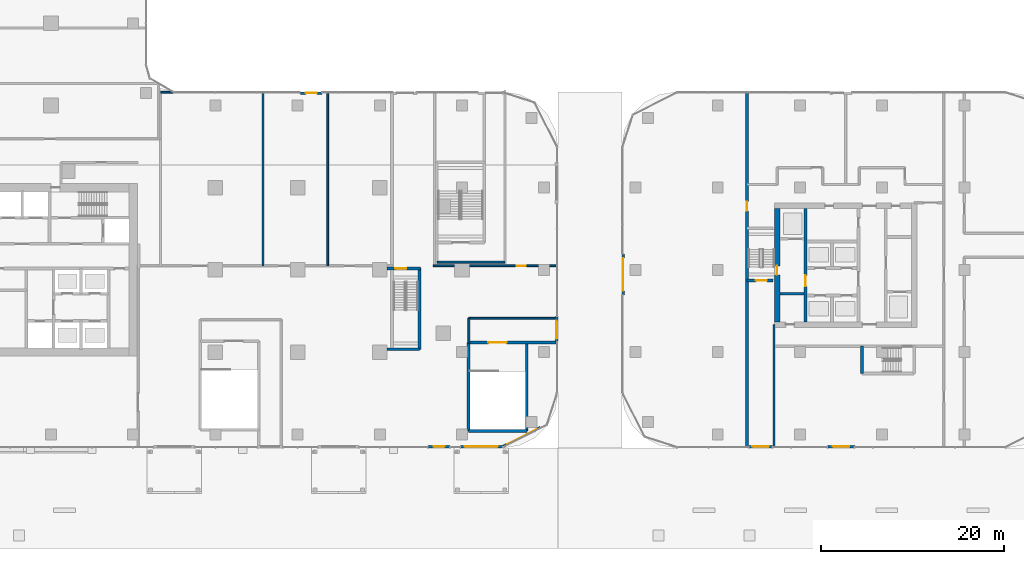
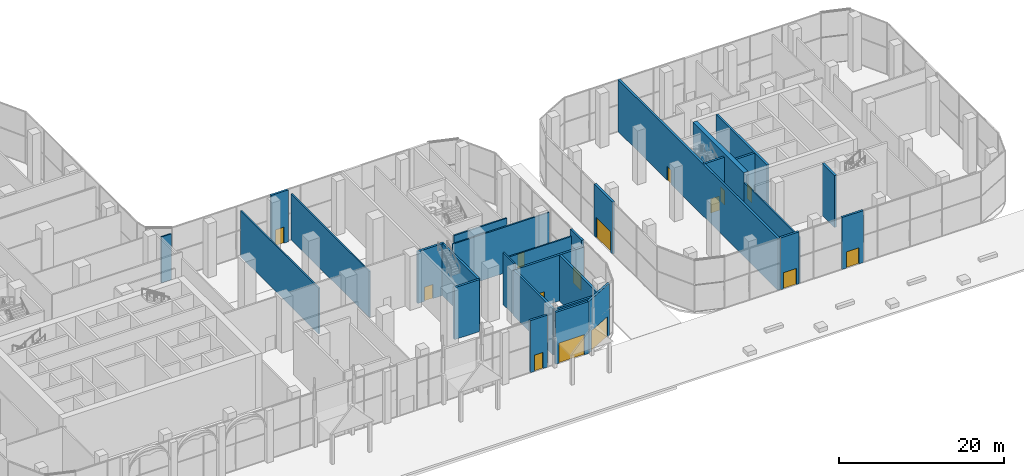
# One storey, part 32 of 54: 29 walls, 15 doors, 15 openings.
"""IFC4 building model written with IfcOpenShell, lengths in metres."""

from ifc_helpers import new_model, si_unit, direction, frame, frame_2d, origin, place, context, subcontext, project, spatial, rectangle, extrude, material, layer, layer_set, type_object, element, fill, save


model = new_model("IFC4")

# Units and contexts
model_context = context("Model", 3, precision=1e-05, world=origin(), true_north=direction((0.0, 1.0)))
body_context = subcontext(model_context, "Body", "Model", "MODEL_VIEW")
ifc_project = project(units=[si_unit("LENGTHUNIT", "METRE"), si_unit("AREAUNIT", "SQUARE_METRE"), si_unit("VOLUMEUNIT", "CUBIC_METRE"), si_unit("PLANEANGLEUNIT", "RADIAN"), si_unit("MASSUNIT", "GRAM", prefix="KILO")], contexts=[model_context])

# Site, building, storey
site_placement = place(None, origin())
site = spatial("IfcSite", under=ifc_project, at=site_placement, CompositionType="ELEMENT")
building_placement = place(site_placement, origin())
building = spatial("IfcBuilding", under=site, at=building_placement, Name="Ogive Portal Towers", CompositionType="ELEMENT")
storey_placement = place(building_placement, origin())
storey = spatial("IfcBuildingStorey", under=building, at=storey_placement, Name="L00", CompositionType="ELEMENT", Elevation=0.0)

# Wall, opening, door
ifc_material_1 = material(Name="Concrete C60/75", Category="concrete")
ifc_layer_1 = layer(ifc_material_1, 0.300048828125)
ifc_layer_set_1 = layer_set([ifc_layer_1], Name="CORE WALL 300 C60")
wall_type_1 = type_object("IfcWallType", Name="CORE WALL 300 C60", PredefinedType="SHEAR", material=ifc_layer_set_1)
wall_1_placement = place(storey_placement, frame((132.10009765625, 24.800048828125, 0.0), z_axis=(0.0, 0.0, 1.0), x_axis=(0.0, 1.0, 0.0)))
wall_1 = element("IfcWall", 1, at=wall_1_placement, inside=storey, type_object=wall_type_1, Name="Tower B core wall BX1 L00", PredefinedType="SHEAR", context=body_context, shape_type="SweptSolid", body=[
    extrude(rectangle(XDim=12.39990234375, YDim=0.300048828125, at=frame_2d((6.199951171875, 0.0))), origin(), (0.0, 0.0, 1.0), 8.0),
])
opening_1_placement = place(wall_1_placement, frame((3.89990234375, 0.0, 0.0)))
opening_1 = element("IfcOpeningElement", 2, at=opening_1_placement, cuts=wall_1, Name="Opening P00-045", PredefinedType="OPENING", context=body_context, shape_type="SweptSolid", body=[
    extrude(rectangle(XDim=1.199951171875, YDim=2.10009765625, at=frame_2d((0.60009765625, 1.050048828125))), frame((0.0, 0.16015625, 0.0), z_axis=(0.0, -1.0, 0.0), x_axis=(1.0, 0.0, 0.0)), (0.0, 0.0, 1.0), 0.320068359375),
])
ifc_material_2 = material(Name="Steel fire door", Category="steel")
door_type_1 = type_object("IfcDoorType", Name="DT-SWING-1200x2100-FD90S", OperationType="SINGLE_SWING_LEFT", PredefinedType="DOOR", material=ifc_material_2)
door_1_placement = place(opening_1_placement, origin())
door_1 = element("IfcDoor", 3, at=door_1_placement, inside=storey, type_object=door_type_1, Name="Door P00-045", OperationType="SINGLE_SWING_LEFT", OverallHeight=2.10009765625, OverallWidth=1.199951171875, PredefinedType="DOOR", context=body_context, shape_type="SweptSolid", body=[
    extrude(rectangle(XDim=1.199951171875, YDim=2.10009765625, at=frame_2d((0.60009765625, 1.050048828125))), frame((0.0, 0.02490234375, 0.0), z_axis=(0.0, -1.0, 0.0), x_axis=(1.0, 0.0, 0.0)), (0.0, 0.0, 1.0), 0.050048828125),
])
fill(opening_1, door_1)

# Wall
wall_2_placement = place(storey_placement, frame((129.300048828125, 27.89990234375, 0.0), z_axis=(0.0, 0.0, 1.0), x_axis=(1.0, 0.0, 0.0)))
element("IfcWall", 4, at=wall_2_placement, inside=storey, type_object=wall_type_1, Name="Tower B core wall BY4 L00", PredefinedType="SHEAR", context=body_context, shape_type="SweptSolid", body=[
    extrude(rectangle(XDim=2.64990234375, YDim=0.300048828125, at=frame_2d((1.324951171875, 0.0))), origin(), (0.0, 0.0, 1.0), 8.0),
])

# Wall, opening, door
ifc_layer_2 = layer(ifc_material_1, 0.60009765625)
ifc_layer_set_2 = layer_set([ifc_layer_2], Name="CORE WALL 600 C60")
wall_type_2 = type_object("IfcWallType", Name="CORE WALL 600 C60", PredefinedType="SHEAR", material=ifc_layer_set_2)
wall_3_placement = place(storey_placement, frame((129.0, 24.800048828125, 0.0), z_axis=(0.0, 0.0, 1.0), x_axis=(0.0, 1.0, 0.0)))
wall_3 = element("IfcWall", 5, at=wall_3_placement, inside=storey, type_object=wall_type_2, Name="Tower B core wall BW L00", PredefinedType="SHEAR", context=body_context, shape_type="SweptSolid", body=[
    extrude(rectangle(XDim=12.39990234375, YDim=0.60009765625, at=frame_2d((6.199951171875, 0.0))), origin(), (0.0, 0.0, 1.0), 8.0),
])
opening_2_placement = place(wall_3_placement, frame((5.14990234375, 0.0, 0.0)))
opening_2 = element("IfcOpeningElement", 6, at=opening_2_placement, cuts=wall_3, Name="Opening P00-047", PredefinedType="OPENING", context=body_context, shape_type="SweptSolid", body=[
    extrude(rectangle(XDim=1.0, YDim=2.10009765625, at=frame_2d((0.5, 1.050048828125))), frame((0.0, 0.31005859375, 0.0), z_axis=(0.0, -1.0, 0.0), x_axis=(1.0, 0.0, 0.0)), (0.0, 0.0, 1.0), 0.6201171875),
])
door_type_2 = type_object("IfcDoorType", Name="DT-SWING-1000x2100-FD90S", OperationType="SINGLE_SWING_LEFT", PredefinedType="DOOR", material=ifc_material_2)
door_2_placement = place(opening_2_placement, origin())
door_2 = element("IfcDoor", 7, at=door_2_placement, inside=storey, type_object=door_type_2, Name="Door P00-047", OperationType="SINGLE_SWING_RIGHT", OverallHeight=2.10009765625, OverallWidth=1.0, PredefinedType="DOOR", context=body_context, shape_type="SweptSolid", body=[
    extrude(rectangle(XDim=1.0, YDim=2.10009765625, at=frame_2d((0.5, 1.050048828125))), frame((0.0, 0.02490234375, 0.0), z_axis=(0.0, -1.0, 0.0), x_axis=(1.0, 0.0, 0.0)), (0.0, 0.0, 1.0), 0.050048828125),
])
fill(opening_2, door_2)

ifc_material_3 = material(Name="Limestone cladding on lightweight block wall", Category="masonry")
ifc_layer_3 = layer(ifc_material_3, 0.300048828125)
ifc_layer_set_3 = layer_set([ifc_layer_3], Name="EXTERNAL WALL 300 STONE")
wall_type_3 = type_object("IfcWallType", Name="EXTERNAL WALL 300 STONE", PredefinedType="SOLIDWALL", material=ifc_layer_set_3)
wall_4_placement = place(storey_placement, frame((93.199951171875, 11.14990234375, 0.0), z_axis=(0.0, 0.0, 1.0), x_axis=(-1.0, 0.0, 0.0)))
wall_4 = element("IfcWall", 8, at=wall_4_placement, inside=storey, type_object=wall_type_3, Name="A:L00:f02:bay3", PredefinedType="SOLIDWALL", context=body_context, shape_type="SweptSolid", body=[
    extrude(rectangle(XDim=2.39990234375, YDim=0.300048828125, at=frame_2d((1.199951171875, 0.0))), origin(), (0.0, 0.0, 1.0), 7.699951171875),
])
opening_3_placement = place(wall_4_placement, frame((0.60009765625, 0.0, 0.0)))
opening_3 = element("IfcOpeningElement", 9, at=opening_3_placement, cuts=wall_4, Name="Opening DX004", PredefinedType="OPENING", context=body_context, shape_type="SweptSolid", body=[
    extrude(rectangle(XDim=1.199951171875, YDim=2.39990234375, at=frame_2d((0.60009765625, 1.199951171875))), frame((0.0, 0.16015625, 0.0), z_axis=(0.0, -1.0, 0.0), x_axis=(1.0, 0.0, 0.0)), (0.0, 0.0, 1.0), 0.320068359375),
])
ifc_material_4 = material(Name="Steel S355", Category="steel")
door_type_3 = type_object("IfcDoorType", Name="EXIT DOOR 1200x2400", OperationType="SINGLE_SWING_LEFT", PredefinedType="DOOR", material=ifc_material_4)
door_3_placement = place(opening_3_placement, origin())
door_3 = element("IfcDoor", 10, at=door_3_placement, inside=storey, type_object=door_type_3, Name="A:L00:f02:bay3/o0", OperationType="SINGLE_SWING_LEFT", OverallHeight=2.39990234375, OverallWidth=1.199951171875, PredefinedType="DOOR", context=body_context, shape_type="SweptSolid", body=[
    extrude(rectangle(XDim=1.199951171875, YDim=2.39990234375, at=frame_2d((0.60009765625, 1.199951171875))), frame((0.0, 0.02490234375, 0.0), z_axis=(0.0, -1.0, 0.0), x_axis=(1.0, 0.0, 0.0)), (0.0, 0.0, 1.0), 0.050048828125),
])
fill(opening_3, door_3)

wall_5_placement = place(storey_placement, frame((99.0, 11.14990234375, 0.0), z_axis=(0.0, 0.0, 1.0), x_axis=(-1.0, 0.0, 0.0)))
wall_5 = element("IfcWall", 11, at=wall_5_placement, inside=storey, type_object=wall_type_3, Name="A:L00:f02:bay4", PredefinedType="SOLIDWALL", context=body_context, shape_type="SweptSolid", body=[
    extrude(rectangle(XDim=4.64990234375, YDim=0.300048828125, at=frame_2d((2.324951171875, 0.0))), origin(), (0.0, 0.0, 1.0), 7.699951171875),
])
opening_4_placement = place(wall_5_placement, frame((0.60009765625, 0.0, 0.0)))
opening_4 = element("IfcOpeningElement", 12, at=opening_4_placement, cuts=wall_5, Name="Opening DX005", PredefinedType="OPENING", context=body_context, shape_type="SweptSolid", body=[
    extrude(rectangle(XDim=3.60009765625, YDim=3.0, at=frame_2d((1.800048828125, 1.5))), frame((0.0, 0.16015625, 0.0), z_axis=(0.0, -1.0, 0.0), x_axis=(1.0, 0.0, 0.0)), (0.0, 0.0, 1.0), 0.320068359375),
])
ifc_material_5 = material(Name="Aluminium 6063 anodised", Category="aluminium")
door_type_4 = type_object("IfcDoorType", Name="ENTRANCE DOOR 3600x3000", OperationType="DOUBLE_DOOR_SINGLE_SWING", PredefinedType="DOOR", material=ifc_material_5)
door_4_placement = place(opening_4_placement, origin())
door_4 = element("IfcDoor", 13, at=door_4_placement, inside=storey, type_object=door_type_4, Name="A:L00:f02:bay4/o0", OperationType="SINGLE_SWING_LEFT", OverallHeight=3.0, OverallWidth=3.60009765625, PredefinedType="DOOR", context=body_context, shape_type="SweptSolid", body=[
    extrude(rectangle(XDim=3.60009765625, YDim=3.0, at=frame_2d((1.800048828125, 1.5))), frame((0.0, 0.02490234375, 0.0), z_axis=(0.0, -1.0, 0.0), x_axis=(1.0, 0.0, 0.0)), (0.0, 0.0, 1.0), 0.050048828125),
])
fill(opening_4, door_4)

wall_6_placement = place(storey_placement, frame((103.0751953125, 13.24462890625, 0.0), z_axis=(0.0, 0.0, 1.0), x_axis=(-0.891009845776, -0.453983980698, 0.0)))
wall_6 = element("IfcWall", 14, at=wall_6_placement, inside=storey, type_object=wall_type_3, Name="A:L00:f03:bay0", PredefinedType="SOLIDWALL", context=body_context, shape_type="SweptSolid", body=[
    extrude(rectangle(XDim=4.650146484375, YDim=0.300048828125, at=frame_2d((2.3251953125, 0.0))), origin(), (0.0, 0.0, 1.0), 7.699951171875),
])
opening_5_placement = place(wall_6_placement, frame((0.449951171875, 0.0, 0.0)))
opening_5 = element("IfcOpeningElement", 15, at=opening_5_placement, cuts=wall_6, Name="Opening DX006", PredefinedType="OPENING", context=body_context, shape_type="SweptSolid", body=[
    extrude(rectangle(XDim=3.60009765625, YDim=3.0, at=frame_2d((1.800048828125, 1.5))), frame((0.0, 0.16015625, 0.0), z_axis=(0.0, -1.0, 0.0), x_axis=(1.0, 0.0, 0.0)), (0.0, 0.0, 1.0), 0.320068359375),
])
door_5_placement = place(opening_5_placement, origin())
door_5 = element("IfcDoor", 16, at=door_5_placement, inside=storey, type_object=door_type_4, Name="A:L00:f03:bay0/o0", OperationType="SINGLE_SWING_LEFT", OverallHeight=3.0, OverallWidth=3.60009765625, PredefinedType="DOOR", context=body_context, shape_type="SweptSolid", body=[
    extrude(rectangle(XDim=3.60009765625, YDim=3.0, at=frame_2d((1.800048828125, 1.5))), frame((0.0, 0.02490234375, 0.0), z_axis=(0.0, -1.0, 0.0), x_axis=(1.0, 0.0, 0.0)), (0.0, 0.0, 1.0), 0.050048828125),
])
fill(opening_5, door_5)

wall_7_placement = place(storey_placement, frame((104.85009765625, 25.39990234375, 0.0), z_axis=(0.0, 0.0, 1.0), x_axis=(0.0, -1.0, 0.0)))
wall_7 = element("IfcWall", 17, at=wall_7_placement, inside=storey, type_object=wall_type_3, Name="A:L00:f05:bay0", PredefinedType="SOLIDWALL", context=body_context, shape_type="SweptSolid", body=[
    extrude(rectangle(XDim=2.7998046875, YDim=0.300048828125, at=frame_2d((1.39990234375, 0.0))), origin(), (0.0, 0.0, 1.0), 7.699951171875),
])
opening_6_placement = place(wall_7_placement, frame((0.449951171875, 0.0, 0.0)))
opening_6 = element("IfcOpeningElement", 18, at=opening_6_placement, cuts=wall_7, Name="Opening DX007", PredefinedType="OPENING", context=body_context, shape_type="SweptSolid", body=[
    extrude(rectangle(XDim=2.0, YDim=2.39990234375, at=frame_2d((1.0, 1.199951171875))), frame((0.0, 0.16015625, 0.0), z_axis=(0.0, -1.0, 0.0), x_axis=(1.0, 0.0, 0.0)), (0.0, 0.0, 1.0), 0.320068359375),
])
door_type_5 = type_object("IfcDoorType", Name="EXIT DOOR 2000x2400", OperationType="DOUBLE_DOOR_SINGLE_SWING", PredefinedType="DOOR", material=ifc_material_4)
door_6_placement = place(opening_6_placement, origin())
door_6 = element("IfcDoor", 19, at=door_6_placement, inside=storey, type_object=door_type_5, Name="A:L00:f05:bay0/o0", OperationType="SINGLE_SWING_LEFT", OverallHeight=2.39990234375, OverallWidth=2.0, PredefinedType="DOOR", context=body_context, shape_type="SweptSolid", body=[
    extrude(rectangle(XDim=2.0, YDim=2.39990234375, at=frame_2d((1.0, 1.199951171875))), frame((0.0, 0.02490234375, 0.0), z_axis=(0.0, -1.0, 0.0), x_axis=(1.0, 0.0, 0.0)), (0.0, 0.0, 1.0), 0.050048828125),
])
fill(opening_6, door_6)

wall_8_placement = place(storey_placement, frame((76.800048828125, 49.85009765625, 0.0), z_axis=(0.0, 0.0, 1.0), x_axis=(1.0, 0.0, 0.0)))
wall_8 = element("IfcWall", 20, at=wall_8_placement, inside=storey, type_object=wall_type_3, Name="A:L00:f08:bay2", PredefinedType="SOLIDWALL", context=body_context, shape_type="SweptSolid", body=[
    extrude(rectangle(XDim=2.39990234375, YDim=0.300048828125, at=frame_2d((1.199951171875, 0.0))), origin(), (0.0, 0.0, 1.0), 7.699951171875),
])
opening_7_placement = place(wall_8_placement, frame((0.60009765625, 0.0, 0.0)))
opening_7 = element("IfcOpeningElement", 21, at=opening_7_placement, cuts=wall_8, Name="Opening DX011", PredefinedType="OPENING", context=body_context, shape_type="SweptSolid", body=[
    extrude(rectangle(XDim=1.199951171875, YDim=2.39990234375, at=frame_2d((0.60009765625, 1.199951171875))), frame((0.0, 0.16015625, 0.0), z_axis=(0.0, -1.0, 0.0), x_axis=(1.0, 0.0, 0.0)), (0.0, 0.0, 1.0), 0.320068359375),
])
door_7_placement = place(opening_7_placement, origin())
door_7 = element("IfcDoor", 22, at=door_7_placement, inside=storey, type_object=door_type_3, Name="A:L00:f08:bay2/o0", OperationType="SINGLE_SWING_LEFT", OverallHeight=2.39990234375, OverallWidth=1.199951171875, PredefinedType="DOOR", context=body_context, shape_type="SweptSolid", body=[
    extrude(rectangle(XDim=1.199951171875, YDim=2.39990234375, at=frame_2d((0.60009765625, 1.199951171875))), frame((0.0, 0.02490234375, 0.0), z_axis=(0.0, -1.0, 0.0), x_axis=(1.0, 0.0, 0.0)), (0.0, 0.0, 1.0), 0.050048828125),
])
fill(opening_7, door_7)

wall_9_placement = place(storey_placement, frame((128.5, 11.14990234375, 0.0), z_axis=(0.0, 0.0, 1.0), x_axis=(-1.0, 0.0, 0.0)))
wall_9 = element("IfcWall", 23, at=wall_9_placement, inside=storey, type_object=wall_type_3, Name="B:L00:f02:bay0", PredefinedType="SOLIDWALL", context=body_context, shape_type="SweptSolid", body=[
    extrude(rectangle(XDim=2.60009765625, YDim=0.300048828125, at=frame_2d((1.300048828125, 0.0))), origin(), (0.0, 0.0, 1.0), 7.699951171875),
])
opening_8_placement = place(wall_9_placement, frame((0.39990234375, 0.0, 0.0)))
opening_8 = element("IfcOpeningElement", 24, at=opening_8_placement, cuts=wall_9, Name="Opening DX017", PredefinedType="OPENING", context=body_context, shape_type="SweptSolid", body=[
    extrude(rectangle(XDim=1.800048828125, YDim=2.39990234375, at=frame_2d((0.89990234375, 1.199951171875))), frame((0.0, 0.16015625, 0.0), z_axis=(0.0, -1.0, 0.0), x_axis=(1.0, 0.0, 0.0)), (0.0, 0.0, 1.0), 0.320068359375),
])
door_type_6 = type_object("IfcDoorType", Name="EXIT DOOR 1800x2400", OperationType="DOUBLE_DOOR_SINGLE_SWING", PredefinedType="DOOR", material=ifc_material_4)
door_8_placement = place(opening_8_placement, origin())
door_8 = element("IfcDoor", 25, at=door_8_placement, inside=storey, type_object=door_type_6, Name="B:L00:f02:bay0/o0", OperationType="SINGLE_SWING_LEFT", OverallHeight=2.39990234375, OverallWidth=1.800048828125, PredefinedType="DOOR", context=body_context, shape_type="SweptSolid", body=[
    extrude(rectangle(XDim=1.800048828125, YDim=2.39990234375, at=frame_2d((0.89990234375, 1.199951171875))), frame((0.0, 0.02490234375, 0.0), z_axis=(0.0, -1.0, 0.0), x_axis=(1.0, 0.0, 0.0)), (0.0, 0.0, 1.0), 0.050048828125),
])
fill(opening_8, door_8)

wall_10_placement = place(storey_placement, frame((137.5, 11.14990234375, 0.0), z_axis=(0.0, 0.0, 1.0), x_axis=(-1.0, 0.0, 0.0)))
wall_10 = element("IfcWall", 26, at=wall_10_placement, inside=storey, type_object=wall_type_3, Name="B:L00:f02:bay1", PredefinedType="SOLIDWALL", context=body_context, shape_type="SweptSolid", body=[
    extrude(rectangle(XDim=3.0, YDim=0.300048828125, at=frame_2d((1.5, 0.0))), origin(), (0.0, 0.0, 1.0), 7.699951171875),
])
opening_9_placement = place(wall_10_placement, frame((0.60009765625, 0.0, 0.0)))
opening_9 = element("IfcOpeningElement", 27, at=opening_9_placement, cuts=wall_10, Name="Opening DX018", PredefinedType="OPENING", context=body_context, shape_type="SweptSolid", body=[
    extrude(rectangle(XDim=1.800048828125, YDim=2.39990234375, at=frame_2d((0.89990234375, 1.199951171875))), frame((0.0, 0.16015625, 0.0), z_axis=(0.0, -1.0, 0.0), x_axis=(1.0, 0.0, 0.0)), (0.0, 0.0, 1.0), 0.320068359375),
])
door_type_7 = type_object("IfcDoorType", Name="SERVICE DOOR 1800x2400", OperationType="DOUBLE_DOOR_SINGLE_SWING", PredefinedType="DOOR", material=ifc_material_4)
door_9_placement = place(opening_9_placement, origin())
door_9 = element("IfcDoor", 28, at=door_9_placement, inside=storey, type_object=door_type_7, Name="B:L00:f02:bay1/o0", OperationType="SINGLE_SWING_LEFT", OverallHeight=2.39990234375, OverallWidth=1.800048828125, PredefinedType="DOOR", context=body_context, shape_type="SweptSolid", body=[
    extrude(rectangle(XDim=1.800048828125, YDim=2.39990234375, at=frame_2d((0.89990234375, 1.199951171875))), frame((0.0, 0.02490234375, 0.0), z_axis=(0.0, -1.0, 0.0), x_axis=(1.0, 0.0, 0.0)), (0.0, 0.0, 1.0), 0.050048828125),
])
fill(opening_9, door_9)

wall_11_placement = place(storey_placement, frame((112.14990234375, 27.75, 0.0), z_axis=(0.0, 0.0, 1.0), x_axis=(0.0, 1.0, 0.0)))
wall_11 = element("IfcWall", 29, at=wall_11_placement, inside=storey, type_object=wall_type_3, Name="B:L00:f11:bay0", PredefinedType="SOLIDWALL", context=body_context, shape_type="SweptSolid", body=[
    extrude(rectangle(XDim=4.5, YDim=0.300048828125, at=frame_2d((2.25, 0.0))), origin(), (0.0, 0.0, 1.0), 7.699951171875),
])
opening_10_placement = place(wall_11_placement, frame((0.449951171875, 0.0, 0.0)))
opening_10 = element("IfcOpeningElement", 30, at=opening_10_placement, cuts=wall_11, Name="Opening DX021", PredefinedType="OPENING", context=body_context, shape_type="SweptSolid", body=[
    extrude(rectangle(XDim=3.60009765625, YDim=3.0, at=frame_2d((1.800048828125, 1.5))), frame((0.0, 0.16015625, 0.0), z_axis=(0.0, -1.0, 0.0), x_axis=(1.0, 0.0, 0.0)), (0.0, 0.0, 1.0), 0.320068359375),
])
door_10_placement = place(opening_10_placement, origin())
door_10 = element("IfcDoor", 31, at=door_10_placement, inside=storey, type_object=door_type_4, Name="B:L00:f11:bay0/o0", OperationType="SINGLE_SWING_LEFT", OverallHeight=3.0, OverallWidth=3.60009765625, PredefinedType="DOOR", context=body_context, shape_type="SweptSolid", body=[
    extrude(rectangle(XDim=3.60009765625, YDim=3.0, at=frame_2d((1.800048828125, 1.5))), frame((0.0, 0.02490234375, 0.0), z_axis=(0.0, -1.0, 0.0), x_axis=(1.0, 0.0, 0.0)), (0.0, 0.0, 1.0), 0.050048828125),
])
fill(opening_10, door_10)

# Wall
ifc_material_6 = material(Name="Concrete C50/60", Category="concrete")
ifc_layer_4 = layer(ifc_material_6, 0.300048828125)
ifc_layer_set_4 = layer_set([ifc_layer_4], Name="STAIR WALL 300 C50")
wall_type_4 = type_object("IfcWallType", Name="STAIR WALL 300 C50", PredefinedType="SHEAR", material=ifc_layer_set_4)
wall_12_placement = place(storey_placement, frame((86.300048828125, 21.800048828125, 0.0), z_axis=(0.0, 0.0, 1.0), x_axis=(1.0, 0.0, 0.0)))
element("IfcWall", 32, at=wall_12_placement, inside=storey, type_object=wall_type_4, Name="Stair wall ST-A4 L00", PredefinedType="SHEAR", context=body_context, shape_type="SweptSolid", body=[
    extrude(rectangle(XDim=3.550048828125, YDim=0.300048828125, at=frame_2d((1.77490234375, 0.0))), origin(), (0.0, 0.0, 1.0), 7.699951171875),
])

# Wall, opening, door
wall_13_placement = place(storey_placement, frame((125.699951171875, 29.35009765625, 0.0), z_axis=(0.0, 0.0, 1.0), x_axis=(1.0, 0.0, 0.0)))
wall_13 = element("IfcWall", 33, at=wall_13_placement, inside=storey, type_object=wall_type_4, Name="Stair wall ST-B1 L00", PredefinedType="SHEAR", context=body_context, shape_type="SweptSolid", body=[
    extrude(rectangle(XDim=2.830078125, YDim=0.300048828125, at=frame_2d((1.4150390625, 0.0))), origin(), (0.0, 0.0, 1.0), 7.699951171875),
])
opening_11_placement = place(wall_13_placement, frame((0.97509765625, 0.0, 0.0)))
opening_11 = element("IfcOpeningElement", 34, at=opening_11_placement, cuts=wall_13, Name="Opening P00-035", PredefinedType="OPENING", context=body_context, shape_type="SweptSolid", body=[
    extrude(rectangle(XDim=1.199951171875, YDim=2.10009765625, at=frame_2d((0.60009765625, 1.050048828125))), frame((0.0, 0.16015625, 0.0), z_axis=(0.0, -1.0, 0.0), x_axis=(1.0, 0.0, 0.0)), (0.0, 0.0, 1.0), 0.320068359375),
])
door_11_placement = place(opening_11_placement, origin())
door_11 = element("IfcDoor", 35, at=door_11_placement, inside=storey, type_object=door_type_1, Name="Door P00-035", OperationType="SINGLE_SWING_LEFT", OverallHeight=2.10009765625, OverallWidth=1.199951171875, PredefinedType="DOOR", context=body_context, shape_type="SweptSolid", body=[
    extrude(rectangle(XDim=1.199951171875, YDim=2.10009765625, at=frame_2d((0.60009765625, 1.050048828125))), frame((0.0, 0.02490234375, 0.0), z_axis=(0.0, -1.0, 0.0), x_axis=(1.0, 0.0, 0.0)), (0.0, 0.0, 1.0), 0.050048828125),
])
fill(opening_11, door_11)

wall_14_placement = place(storey_placement, frame((86.300048828125, 30.64990234375, 0.0), z_axis=(0.0, 0.0, 1.0), x_axis=(1.0, 0.0, 0.0)))
wall_14 = element("IfcWall", 36, at=wall_14_placement, inside=storey, type_object=wall_type_4, Name="Stair wall ST-A4 L00", PredefinedType="SHEAR", context=body_context, shape_type="SweptSolid", body=[
    extrude(rectangle(XDim=3.669921875, YDim=0.300048828125, at=frame_2d((1.8349609375, 0.0))), origin(), (0.0, 0.0, 1.0), 7.699951171875),
])
opening_12_placement = place(wall_14_placement, frame((0.89990234375, 0.0, 0.0)))
opening_12 = element("IfcOpeningElement", 37, at=opening_12_placement, cuts=wall_14, Name="Opening P00-007", PredefinedType="OPENING", context=body_context, shape_type="SweptSolid", body=[
    extrude(rectangle(XDim=1.199951171875, YDim=2.10009765625, at=frame_2d((0.60009765625, 1.050048828125))), frame((0.0, 0.16015625, 0.0), z_axis=(0.0, -1.0, 0.0), x_axis=(1.0, 0.0, 0.0)), (0.0, 0.0, 1.0), 0.320068359375),
])
door_12_placement = place(opening_12_placement, origin())
door_12 = element("IfcDoor", 38, at=door_12_placement, inside=storey, type_object=door_type_1, Name="Door P00-007", OperationType="SINGLE_SWING_LEFT", OverallHeight=2.10009765625, OverallWidth=1.199951171875, PredefinedType="DOOR", context=body_context, shape_type="SweptSolid", body=[
    extrude(rectangle(XDim=1.199951171875, YDim=2.10009765625, at=frame_2d((0.60009765625, 1.050048828125))), frame((0.0, 0.02490234375, 0.0), z_axis=(0.0, -1.0, 0.0), x_axis=(1.0, 0.0, 0.0)), (0.0, 0.0, 1.0), 0.050048828125),
])
fill(opening_12, door_12)

wall_15_placement = place(storey_placement, frame((125.699951171875, 11.070068359375, 0.0), z_axis=(0.0, 0.0, 1.0), x_axis=(0.0, 1.0, 0.0)))
wall_15 = element("IfcWall", 39, at=wall_15_placement, inside=storey, type_object=wall_type_4, Name="Stair wall ST-B1 L00", PredefinedType="SHEAR", context=body_context, shape_type="SweptSolid", body=[
    extrude(rectangle(XDim=38.85986328125, YDim=0.300048828125, at=frame_2d((19.429931640625, 0.0))), origin(), (0.0, 0.0, 1.0), 7.699951171875),
])
opening_13_placement = place(wall_15_placement, frame((25.906005859375, 0.0, 0.0)))
opening_13 = element("IfcOpeningElement", 40, at=opening_13_placement, cuts=wall_15, Name="Opening P00-038", PredefinedType="OPENING", context=body_context, shape_type="SweptSolid", body=[
    extrude(rectangle(XDim=1.0, YDim=2.10009765625, at=frame_2d((0.5, 1.050048828125))), frame((0.0, 0.16015625, 0.0), z_axis=(0.0, -1.0, 0.0), x_axis=(1.0, 0.0, 0.0)), (0.0, 0.0, 1.0), 0.320068359375),
])
door_13_placement = place(opening_13_placement, origin())
door_13 = element("IfcDoor", 41, at=door_13_placement, inside=storey, type_object=door_type_2, Name="Door P00-038", OperationType="SINGLE_SWING_RIGHT", OverallHeight=2.10009765625, OverallWidth=1.0, PredefinedType="DOOR", context=body_context, shape_type="SweptSolid", body=[
    extrude(rectangle(XDim=1.0, YDim=2.10009765625, at=frame_2d((0.5, 1.050048828125))), frame((0.0, 0.02490234375, 0.0), z_axis=(0.0, -1.0, 0.0), x_axis=(1.0, 0.0, 0.0)), (0.0, 0.0, 1.0), 0.050048828125),
])
fill(opening_13, door_13)

# Walls
wall_16_placement = place(storey_placement, frame((138.300048828125, 19.14990234375, 0.0), z_axis=(0.0, 0.0, 1.0), x_axis=(0.0, 1.0, 0.0)))
element("IfcWall", 42, at=wall_16_placement, inside=storey, type_object=wall_type_4, Name="Stair wall ST-B2 L00", PredefinedType="SHEAR", context=body_context, shape_type="SweptSolid", body=[
    extrude(rectangle(XDim=3.0, YDim=0.300048828125, at=frame_2d((1.5, 0.0))), origin(), (0.0, 0.0, 1.0), 7.699951171875),
])
wall_17_placement = place(storey_placement, frame((89.85009765625, 21.800048828125, 0.0), z_axis=(0.0, 0.0, 1.0), x_axis=(0.0, 1.0, 0.0)))
element("IfcWall", 43, at=wall_17_placement, inside=storey, type_object=wall_type_4, Name="Stair wall ST-A4 L00", PredefinedType="SHEAR", context=body_context, shape_type="SweptSolid", body=[
    extrude(rectangle(XDim=8.919921875, YDim=0.300048828125, at=frame_2d((4.4599609375, 0.0))), origin(), (0.0, 0.0, 1.0), 7.699951171875),
])
ifc_material_7 = material(Name="Gypsum board partition on steel studs", Category="steel")
ifc_layer_5 = layer(ifc_material_7, 0.199951171875)
ifc_layer_set_5 = layer_set([ifc_layer_5], Name="WT-PART-200-EI 120")
wall_type_5 = type_object("IfcWallType", Name="WT-PART-200-EI 120", PredefinedType="PARTITIONING", material=ifc_layer_set_5)
wall_18_placement = place(storey_placement, frame((95.25, 25.199951171875, 0.0), z_axis=(0.0, 0.0, 1.0), x_axis=(1.0, 0.0, 0.0)))
element("IfcWall", 44, at=wall_18_placement, inside=storey, type_object=wall_type_5, Name="Wall L00:w013", PredefinedType="PARTITIONING", context=body_context, shape_type="SweptSolid", body=[
    extrude(rectangle(XDim=9.679931640625, YDim=0.199951171875, at=frame_2d((4.83984375, 0.0))), origin(), (0.0, 0.0, 1.0), 6.800048828125),
])
wall_19_placement = place(storey_placement, frame((91.800048828125, 31.35009765625, 0.0), z_axis=(0.0, 0.0, 1.0), x_axis=(1.0, 0.0, 0.0)))
element("IfcWall", 45, at=wall_19_placement, inside=storey, type_object=wall_type_5, Name="Wall L00:w019", PredefinedType="PARTITIONING", context=body_context, shape_type="SweptSolid", body=[
    extrude(rectangle(XDim=7.39990234375, YDim=0.199951171875, at=frame_2d((3.699951171875, 0.0))), origin(), (0.0, 0.0, 1.0), 7.699951171875),
])
wall_20_placement = place(storey_placement, frame((128.64990234375, 11.070068359375, 0.0), z_axis=(0.0, 0.0, 1.0), x_axis=(0.0, 1.0, 0.0)))
element("IfcWall", 46, at=wall_20_placement, inside=storey, type_object=wall_type_5, Name="Wall L00:w058", PredefinedType="PARTITIONING", context=body_context, shape_type="SweptSolid", body=[
    extrude(rectangle(XDim=13.409912109375, YDim=0.199951171875, at=frame_2d((6.705078125, 0.0))), origin(), (0.0, 0.0, 1.0), 6.800048828125),
])
wall_21_placement = place(storey_placement, frame((95.25, 22.5, 0.0), z_axis=(0.0, 0.0, 1.0), x_axis=(0.0, 1.0, 0.0)))
element("IfcWall", 47, at=wall_21_placement, inside=storey, type_object=wall_type_5, Name="Wall L00:w102", PredefinedType="PARTITIONING", context=body_context, shape_type="SweptSolid", body=[
    extrude(rectangle(XDim=2.699951171875, YDim=0.199951171875, at=frame_2d((1.35009765625, 0.0))), origin(), (0.0, 0.0, 1.0), 7.699951171875),
])

# Wall, opening, door
ifc_layer_6 = layer(ifc_material_7, 0.199951171875)
ifc_layer_set_6 = layer_set([ifc_layer_6], Name="WT-PART-200-EI 60")
wall_type_6 = type_object("IfcWallType", Name="WT-PART-200-EI 60", PredefinedType="PARTITIONING", material=ifc_layer_set_6)
wall_22_placement = place(storey_placement, frame((91.3798828125, 30.949951171875, 0.0), z_axis=(0.0, 0.0, 1.0), x_axis=(1.0, 0.0, 0.0)))
wall_22 = element("IfcWall", 48, at=wall_22_placement, inside=storey, type_object=wall_type_6, Name="Wall L00:w018", PredefinedType="PARTITIONING", context=body_context, shape_type="SweptSolid", body=[
    extrude(rectangle(XDim=13.550048828125, YDim=0.199951171875, at=frame_2d((6.77490234375, 0.0))), origin(), (0.0, 0.0, 1.0), 6.800048828125),
])
opening_14_placement = place(wall_22_placement, frame((9.1201171875, 0.0, 0.0)))
opening_14 = element("IfcOpeningElement", 49, at=opening_14_placement, cuts=wall_22, Name="Opening P00-014", PredefinedType="OPENING", context=body_context, shape_type="SweptSolid", body=[
    extrude(rectangle(XDim=1.0, YDim=2.10009765625, at=frame_2d((0.5, 1.050048828125))), frame((0.0, 0.10986328125, 0.0), z_axis=(0.0, -1.0, 0.0), x_axis=(1.0, 0.0, 0.0)), (0.0, 0.0, 1.0), 0.219970703125),
])
door_type_8 = type_object("IfcDoorType", Name="DT-SWING-1000x2100-FD60S", OperationType="SINGLE_SWING_LEFT", PredefinedType="DOOR", material=ifc_material_2)
door_14_placement = place(opening_14_placement, origin())
door_14 = element("IfcDoor", 50, at=door_14_placement, inside=storey, type_object=door_type_8, Name="Door P00-014", OperationType="SINGLE_SWING_RIGHT", OverallHeight=2.10009765625, OverallWidth=1.0, PredefinedType="DOOR", context=body_context, shape_type="SweptSolid", body=[
    extrude(rectangle(XDim=1.0, YDim=2.10009765625, at=frame_2d((0.5, 1.050048828125))), frame((0.0, 0.02490234375, 0.0), z_axis=(0.0, -1.0, 0.0), x_axis=(1.0, 0.0, 0.0)), (0.0, 0.0, 1.0), 0.050048828125),
])
fill(opening_14, door_14)

# Walls
wall_23_placement = place(storey_placement, frame((61.5, 49.949951171875, 0.0), z_axis=(0.0, 0.0, 1.0), x_axis=(1.0, 0.0, 0.0)))
element("IfcWall", 51, at=wall_23_placement, inside=storey, type_object=wall_type_6, Name="Wall L00:w040", PredefinedType="PARTITIONING", context=body_context, shape_type="SweptSolid", body=[
    extrude(rectangle(XDim=1.416015625, YDim=0.199951171875, at=frame_2d((0.7080078125, 0.0))), origin(), (0.0, 0.0, 1.0), 6.800048828125),
])
for number, where, z_axis, x_axis, name in (
    (52, (72.721923828125, 30.949951171875, 0.0), (0.0, 0.0, 1.0), (0.0, 1.0, 0.0), "Wall L00:w094"),
    (53, (79.81103515625, 30.949951171875, 0.0), (0.0, 0.0, 1.0), (0.0, 1.0, 0.0), "Wall L00:w096"),
):
    element("IfcWall", number, at=place(storey_placement, frame(where, z_axis=z_axis, x_axis=x_axis)), inside=storey, type_object=wall_type_6, Name=name, PredefinedType="PARTITIONING", context=body_context, shape_type="SweptSolid", body=[
        extrude(rectangle(XDim=18.97998046875, YDim=0.199951171875, at=frame_2d((9.489990234375, 0.0))), origin(), (0.0, 0.0, 1.0), 6.800048828125),
    ])
ifc_material_8 = material(Name="Concrete C40/50", Category="concrete")
ifc_layer_7 = layer(ifc_material_8, 0.300048828125)
ifc_layer_set_7 = layer_set([ifc_layer_7], Name="WT-SHAFT-300")
wall_type_7 = type_object("IfcWallType", Name="WT-SHAFT-300", PredefinedType="SOLIDWALL", material=ifc_layer_set_7)
wall_24_placement = place(storey_placement, frame((95.199951171875, 12.85009765625, 0.0), z_axis=(0.0, 0.0, 1.0), x_axis=(1.0, 0.0, 0.0)))
element("IfcWall", 54, at=wall_24_placement, inside=storey, type_object=wall_type_7, Name="Wall L00:w001", PredefinedType="SOLIDWALL", context=body_context, shape_type="SweptSolid", body=[
    extrude(rectangle(XDim=6.400146484375, YDim=0.300048828125, at=frame_2d((3.2001953125, 0.0))), origin(), (0.0, 0.0, 1.0), 6.800048828125),
])

# Wall, opening, door
wall_25_placement = place(storey_placement, frame((95.199951171875, 22.550048828125, 0.0), z_axis=(0.0, 0.0, 1.0), x_axis=(1.0, 0.0, 0.0)))
wall_25 = element("IfcWall", 55, at=wall_25_placement, inside=storey, type_object=wall_type_7, Name="Wall L00:w008", PredefinedType="SOLIDWALL", context=body_context, shape_type="SweptSolid", body=[
    extrude(rectangle(XDim=9.72998046875, YDim=0.300048828125, at=frame_2d((4.864990234375, 0.0))), origin(), (0.0, 0.0, 1.0), 6.800048828125),
])
opening_15_placement = place(wall_25_placement, frame((2.199951171875, 0.0, 0.0)))
opening_15 = element("IfcOpeningElement", 56, at=opening_15_placement, cuts=wall_25, Name="Opening P00-003", PredefinedType="OPENING", context=body_context, shape_type="SweptSolid", body=[
    extrude(rectangle(XDim=2.0, YDim=2.10009765625, at=frame_2d((1.0, 1.050048828125))), frame((0.0, 0.16015625, 0.0), z_axis=(0.0, -1.0, 0.0), x_axis=(1.0, 0.0, 0.0)), (0.0, 0.0, 1.0), 0.320068359375),
])
door_type_9 = type_object("IfcDoorType", Name="DT-SWING-2000x2100-FD90S", OperationType="SINGLE_SWING_LEFT", PredefinedType="DOOR", material=ifc_material_2)
door_15_placement = place(opening_15_placement, origin())
door_15 = element("IfcDoor", 57, at=door_15_placement, inside=storey, type_object=door_type_9, Name="Door P00-003", OperationType="SINGLE_SWING_LEFT", OverallHeight=2.10009765625, OverallWidth=2.0, PredefinedType="DOOR", context=body_context, shape_type="SweptSolid", body=[
    extrude(rectangle(XDim=2.0, YDim=2.10009765625, at=frame_2d((1.0, 1.050048828125))), frame((0.0, 0.02490234375, 0.0), z_axis=(0.0, -1.0, 0.0), x_axis=(1.0, 0.0, 0.0)), (0.0, 0.0, 1.0), 0.050048828125),
])
fill(opening_15, door_15)

# Walls
for number, where, z_axis, x_axis, name in (
    (58, (101.60009765625, 12.85009765625, 0.0), (0.0, 0.0, 1.0), (0.0, 1.0, 0.0), "Wall L00:w056"),
    (59, (95.199951171875, 12.85009765625, 0.0), (0.0, 0.0, 1.0), (0.0, 1.0, 0.0), "Wall L00:w101"),
):
    element("IfcWall", number, at=place(storey_placement, frame(where, z_axis=z_axis, x_axis=x_axis)), inside=storey, type_object=wall_type_7, Name=name, PredefinedType="SOLIDWALL", context=body_context, shape_type="SweptSolid", body=[
        extrude(rectangle(XDim=9.699951171875, YDim=0.300048828125, at=frame_2d((4.85009765625, 0.0))), origin(), (0.0, 0.0, 1.0), 6.800048828125),
    ])

save(model, "model.ifc")
